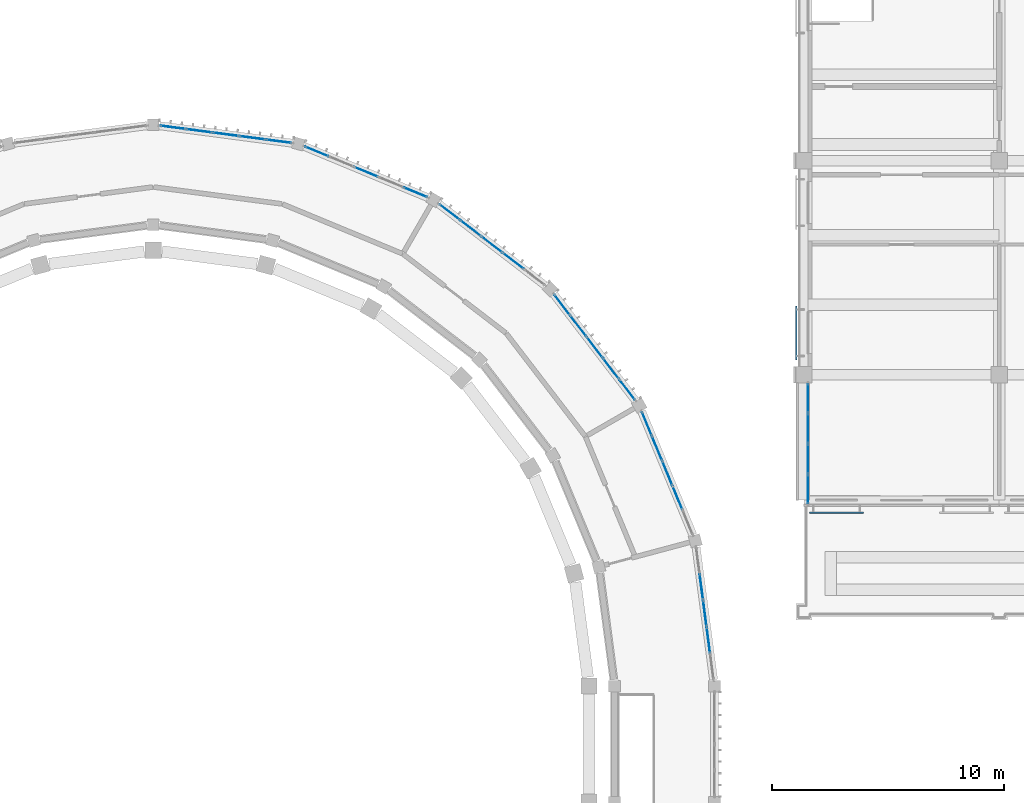
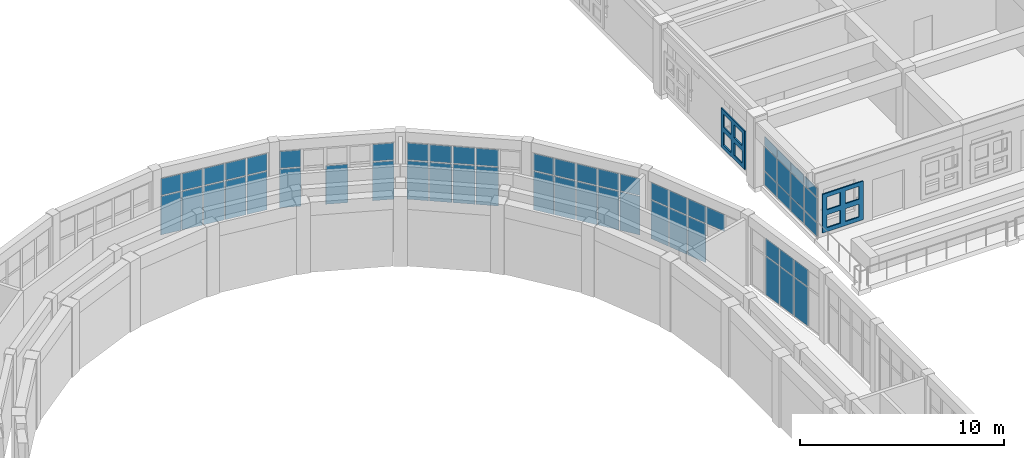
# One storey, part 47 of 99: 60 plates, 7 elements without a shape of their own.
"""IFC4 building model written with IfcOpenShell, lengths in metres."""

from ifc_helpers import new_model, si_unit, direction, frame, origin, origin_2d, place, context, subcontext, project, spatial, polyline, rectangle, outline, extrude, material, layer, layer_set, material_profile, profile_set, type_object, element, aggregate, save


model = new_model("IFC4")

# Units and contexts
model_context = context("Model", 3, precision=1e-05, world=origin(), true_north=direction((0.0, 1.0)))
body_context = subcontext(model_context, "Body", "Model", "MODEL_VIEW")
ifc_project = project(units=[si_unit("LENGTHUNIT", "METRE"), si_unit("AREAUNIT", "SQUARE_METRE"), si_unit("VOLUMEUNIT", "CUBIC_METRE"), si_unit("PLANEANGLEUNIT", "RADIAN"), si_unit("MASSUNIT", "GRAM", prefix="KILO")], contexts=[model_context])

# Site, building, storey
site_placement = place(None, origin())
site = spatial("IfcSite", under=ifc_project, at=site_placement, CompositionType="ELEMENT")
building_placement = place(site_placement, origin())
building = spatial("IfcBuilding", under=site, at=building_placement, Name="Wasatch Bagh Community Centre", CompositionType="ELEMENT")
storey_placement = place(building_placement, frame((0.0, 0.0, 4.199951171875)))
storey = spatial("IfcBuildingStorey", under=building, at=storey_placement, Name="L01", CompositionType="ELEMENT", Elevation=4.199951171875)

# Curtain wall, plates
ifc_material_1 = material(Name="Aluminium curtain wall frame with low-iron insulated glass", Category="aluminium")
ifc_layer_1 = layer(ifc_material_1, 0.14990234375)
ifc_layer_set_1 = layer_set([ifc_layer_1], Name="Aluminium curtain wall frame with low-iron insulated glass")
curtain_wall_type_1 = type_object("IfcCurtainWallType", Name="Drum curtain wall DR-CW2", PredefinedType="NOTDEFINED", material=ifc_layer_set_1)
curtain_wall_1_placement = place(storey_placement, origin())
curtain_wall_1 = element("IfcCurtainWall", 1, at=curtain_wall_1_placement, inside=storey, type_object=curtain_wall_type_1, Name="Curtain wall DR-CW2 19", PredefinedType="NOTDEFINED")
ifc_material_2 = material(Name="Low-iron insulated glass", Category="glass")
ifc_layer_2 = layer(ifc_material_2, 0.028076171875)
ifc_layer_set_2 = layer_set([ifc_layer_2], Name="Low-iron insulated glass")
plate_type_1 = type_object("IfcPlateType", Name="Drum glass panel DR-CW2", PredefinedType="CURTAIN_PANEL", material=ifc_layer_set_2)
plate_1_placement = place(storey_placement, frame((59.889404296875, 66.979248046875, 0.06005859375), z_axis=(0.0, 0.0, 1.0), x_axis=(-0.130526192185, 0.991444861378, 0.0)))
plate_1 = element("IfcPlate", 2, at=plate_1_placement, type_object=plate_type_1, Name="DR-CW2 panel 2.1", PredefinedType="CURTAIN_PANEL", context=body_context, shape_type="SweptSolid", body=[
    extrude(rectangle(XDim=1.095947265625, YDim=0.028076171875, at=origin_2d()), origin(), (0.0, 0.0, 1.0), 2.31005859375),
])
plate_2_placement = place(storey_placement, frame((59.889404296875, 66.979248046875, 2.43017578125), z_axis=(0.0, 0.0, 1.0), x_axis=(-0.130526192185, 0.991444861378, 0.0)))
plate_2 = element("IfcPlate", 3, at=plate_2_placement, type_object=plate_type_1, Name="DR-CW2 panel 2.2", PredefinedType="CURTAIN_PANEL", context=body_context, shape_type="SweptSolid", body=[
    extrude(rectangle(XDim=1.095947265625, YDim=0.028076171875, at=origin_2d()), origin(), (0.0, 0.0, 1.0), 1.010009765625),
])
plate_3_placement = place(storey_placement, frame((59.738525390625, 68.125244140625, 0.06005859375), z_axis=(0.0, 0.0, 1.0), x_axis=(-0.130526192185, 0.991444861378, 0.0)))
plate_3 = element("IfcPlate", 4, at=plate_3_placement, type_object=plate_type_1, Name="DR-CW2 panel 3.1", PredefinedType="CURTAIN_PANEL", context=body_context, shape_type="SweptSolid", body=[
    extrude(rectangle(XDim=1.095947265625, YDim=0.028076171875, at=origin_2d()), origin(), (0.0, 0.0, 1.0), 2.31005859375),
])
plate_4_placement = place(storey_placement, frame((59.738525390625, 68.125244140625, 2.43017578125), z_axis=(0.0, 0.0, 1.0), x_axis=(-0.130526192185, 0.991444861378, 0.0)))
plate_4 = element("IfcPlate", 5, at=plate_4_placement, type_object=plate_type_1, Name="DR-CW2 panel 3.2", PredefinedType="CURTAIN_PANEL", context=body_context, shape_type="SweptSolid", body=[
    extrude(rectangle(XDim=1.095947265625, YDim=0.028076171875, at=origin_2d()), origin(), (0.0, 0.0, 1.0), 1.010009765625),
])
plate_5_placement = place(storey_placement, frame((59.587646484375, 69.271240234375, 0.06005859375), z_axis=(0.0, 0.0, 1.0), x_axis=(-0.130526192185, 0.991444861378, 0.0)))
plate_5 = element("IfcPlate", 6, at=plate_5_placement, type_object=plate_type_1, Name="DR-CW2 panel 4.1", PredefinedType="CURTAIN_PANEL", context=body_context, shape_type="SweptSolid", body=[
    extrude(rectangle(XDim=1.095947265625, YDim=0.028076171875, at=origin_2d()), origin(), (0.0, 0.0, 1.0), 2.31005859375),
])
plate_6_placement = place(storey_placement, frame((59.587646484375, 69.271240234375, 2.43017578125), z_axis=(0.0, 0.0, 1.0), x_axis=(-0.130526192185, 0.991444861378, 0.0)))
plate_6 = element("IfcPlate", 7, at=plate_6_placement, type_object=plate_type_1, Name="DR-CW2 panel 4.2", PredefinedType="CURTAIN_PANEL", context=body_context, shape_type="SweptSolid", body=[
    extrude(rectangle(XDim=1.095947265625, YDim=0.028076171875, at=origin_2d()), origin(), (0.0, 0.0, 1.0), 1.010009765625),
])
aggregate(curtain_wall_1, [plate_1, plate_2, plate_3, plate_4, plate_5, plate_6])

curtain_wall_2_placement = place(storey_placement, origin())
curtain_wall_2 = element("IfcCurtainWall", 8, at=curtain_wall_2_placement, inside=storey, type_object=curtain_wall_type_1, Name="Curtain wall DR-CW2 20", PredefinedType="NOTDEFINED")
plate_7_placement = place(storey_placement, frame((58.563232421875, 73.094970703125, 2.43017578125), z_axis=(0.0, 0.0, 1.0), x_axis=(-0.38268343251, 0.923879532451, 0.0)))
plate_7 = element("IfcPlate", 9, at=plate_7_placement, type_object=plate_type_1, Name="DR-CW2 panel 2.2", PredefinedType="CURTAIN_PANEL", context=body_context, shape_type="SweptSolid", body=[
    extrude(rectangle(XDim=1.095947265625, YDim=0.028076171875, at=origin_2d()), origin(), (0.0, 0.0, 1.0), 1.010009765625),
])
plate_8_placement = place(storey_placement, frame((58.120849609375, 74.162841796875, 0.06005859375), z_axis=(0.0, 0.0, 1.0), x_axis=(-0.38268343251, 0.923879532451, 0.0)))
plate_8 = element("IfcPlate", 10, at=plate_8_placement, type_object=plate_type_1, Name="DR-CW2 panel 3.1", PredefinedType="CURTAIN_PANEL", context=body_context, shape_type="SweptSolid", body=[
    extrude(rectangle(XDim=1.095947265625, YDim=0.028076171875, at=origin_2d()), origin(), (0.0, 0.0, 1.0), 2.31005859375),
])
plate_9_placement = place(storey_placement, frame((58.120849609375, 74.162841796875, 2.43017578125), z_axis=(0.0, 0.0, 1.0), x_axis=(-0.38268343251, 0.923879532451, 0.0)))
plate_9 = element("IfcPlate", 11, at=plate_9_placement, type_object=plate_type_1, Name="DR-CW2 panel 3.2", PredefinedType="CURTAIN_PANEL", context=body_context, shape_type="SweptSolid", body=[
    extrude(rectangle(XDim=1.095947265625, YDim=0.028076171875, at=origin_2d()), origin(), (0.0, 0.0, 1.0), 1.010009765625),
])
plate_10_placement = place(storey_placement, frame((57.678466796875, 75.230712890625, 0.06005859375), z_axis=(0.0, 0.0, 1.0), x_axis=(-0.38268343251, 0.923879532451, 0.0)))
plate_10 = element("IfcPlate", 12, at=plate_10_placement, type_object=plate_type_1, Name="DR-CW2 panel 4.1", PredefinedType="CURTAIN_PANEL", context=body_context, shape_type="SweptSolid", body=[
    extrude(rectangle(XDim=1.095947265625, YDim=0.028076171875, at=origin_2d()), origin(), (0.0, 0.0, 1.0), 2.31005859375),
])
plate_11_placement = place(storey_placement, frame((57.678466796875, 75.230712890625, 2.43017578125), z_axis=(0.0, 0.0, 1.0), x_axis=(-0.38268343251, 0.923879532451, 0.0)))
plate_11 = element("IfcPlate", 13, at=plate_11_placement, type_object=plate_type_1, Name="DR-CW2 panel 4.2", PredefinedType="CURTAIN_PANEL", context=body_context, shape_type="SweptSolid", body=[
    extrude(rectangle(XDim=1.095947265625, YDim=0.028076171875, at=origin_2d()), origin(), (0.0, 0.0, 1.0), 1.010009765625),
])
plate_12_placement = place(storey_placement, frame((57.241943359375, 76.28466796875, 0.06005859375), z_axis=(0.0, 0.0, 1.0), x_axis=(-0.38268343251, 0.923879532451, 0.0)))
plate_12 = element("IfcPlate", 14, at=plate_12_placement, type_object=plate_type_1, Name="DR-CW2 panel 5.1", PredefinedType="CURTAIN_PANEL", context=body_context, shape_type="SweptSolid", body=[
    extrude(rectangle(XDim=1.06591796875, YDim=0.028076171875, at=origin_2d()), origin(), (0.0, 0.0, 1.0), 2.31005859375),
])
plate_13_placement = place(storey_placement, frame((57.241943359375, 76.28466796875, 2.43017578125), z_axis=(0.0, 0.0, 1.0), x_axis=(-0.38268343251, 0.923879532451, 0.0)))
plate_13 = element("IfcPlate", 15, at=plate_13_placement, type_object=plate_type_1, Name="DR-CW2 panel 5.2", PredefinedType="CURTAIN_PANEL", context=body_context, shape_type="SweptSolid", body=[
    extrude(rectangle(XDim=1.06591796875, YDim=0.028076171875, at=origin_2d()), origin(), (0.0, 0.0, 1.0), 1.010009765625),
])
aggregate(curtain_wall_2, [plate_7, plate_8, plate_9, plate_10, plate_11, plate_12, plate_13])

curtain_wall_3_placement = place(storey_placement, origin())
curtain_wall_3 = element("IfcCurtainWall", 16, at=curtain_wall_3_placement, inside=storey, type_object=curtain_wall_type_1, Name="Curtain wall DR-CW2 21", PredefinedType="NOTDEFINED")
plate_14_placement = place(storey_placement, frame((56.393798828125, 77.753662109375, 0.06005859375), z_axis=(0.0, 0.0, 1.0), x_axis=(-0.608761429133, 0.793353340196, 0.0)))
plate_14 = element("IfcPlate", 17, at=plate_14_placement, type_object=plate_type_1, Name="DR-CW2 panel 1.1", PredefinedType="CURTAIN_PANEL", context=body_context, shape_type="SweptSolid", body=[
    extrude(rectangle(XDim=1.06591796875, YDim=0.028076171875, at=origin_2d()), origin(), (0.0, 0.0, 1.0), 2.31005859375),
])
plate_15_placement = place(storey_placement, frame((56.393798828125, 77.753662109375, 2.43017578125), z_axis=(0.0, 0.0, 1.0), x_axis=(-0.608761429133, 0.793353340196, 0.0)))
plate_15 = element("IfcPlate", 18, at=plate_15_placement, type_object=plate_type_1, Name="DR-CW2 panel 1.2", PredefinedType="CURTAIN_PANEL", context=body_context, shape_type="SweptSolid", body=[
    extrude(rectangle(XDim=1.06591796875, YDim=0.028076171875, at=origin_2d()), origin(), (0.0, 0.0, 1.0), 1.010009765625),
])
plate_16_placement = place(storey_placement, frame((55.69921875, 78.65869140625, 0.06005859375), z_axis=(0.0, 0.0, 1.0), x_axis=(-0.608761429133, 0.793353340196, 0.0)))
plate_16 = element("IfcPlate", 19, at=plate_16_placement, type_object=plate_type_1, Name="DR-CW2 panel 2.1", PredefinedType="CURTAIN_PANEL", context=body_context, shape_type="SweptSolid", body=[
    extrude(rectangle(XDim=1.095947265625, YDim=0.028076171875, at=origin_2d()), origin(), (0.0, 0.0, 1.0), 2.31005859375),
])
plate_17_placement = place(storey_placement, frame((55.69921875, 78.65869140625, 2.43017578125), z_axis=(0.0, 0.0, 1.0), x_axis=(-0.608761429133, 0.793353340196, 0.0)))
plate_17 = element("IfcPlate", 20, at=plate_17_placement, type_object=plate_type_1, Name="DR-CW2 panel 2.2", PredefinedType="CURTAIN_PANEL", context=body_context, shape_type="SweptSolid", body=[
    extrude(rectangle(XDim=1.095947265625, YDim=0.028076171875, at=origin_2d()), origin(), (0.0, 0.0, 1.0), 1.010009765625),
])
plate_18_placement = place(storey_placement, frame((54.99560546875, 79.575927734375, 0.06005859375), z_axis=(0.0, 0.0, 1.0), x_axis=(-0.608761429133, 0.793353340196, 0.0)))
plate_18 = element("IfcPlate", 21, at=plate_18_placement, type_object=plate_type_1, Name="DR-CW2 panel 3.1", PredefinedType="CURTAIN_PANEL", context=body_context, shape_type="SweptSolid", body=[
    extrude(rectangle(XDim=1.095947265625, YDim=0.028076171875, at=origin_2d()), origin(), (0.0, 0.0, 1.0), 2.31005859375),
])
plate_19_placement = place(storey_placement, frame((54.99560546875, 79.575927734375, 2.43017578125), z_axis=(0.0, 0.0, 1.0), x_axis=(-0.608761429133, 0.793353340196, 0.0)))
plate_19 = element("IfcPlate", 22, at=plate_19_placement, type_object=plate_type_1, Name="DR-CW2 panel 3.2", PredefinedType="CURTAIN_PANEL", context=body_context, shape_type="SweptSolid", body=[
    extrude(rectangle(XDim=1.095947265625, YDim=0.028076171875, at=origin_2d()), origin(), (0.0, 0.0, 1.0), 1.010009765625),
])
plate_20_placement = place(storey_placement, frame((54.2919921875, 80.492919921875, 0.06005859375), z_axis=(0.0, 0.0, 1.0), x_axis=(-0.608761429133, 0.793353340196, 0.0)))
plate_20 = element("IfcPlate", 23, at=plate_20_placement, type_object=plate_type_1, Name="DR-CW2 panel 4.1", PredefinedType="CURTAIN_PANEL", context=body_context, shape_type="SweptSolid", body=[
    extrude(rectangle(XDim=1.095947265625, YDim=0.028076171875, at=origin_2d()), origin(), (0.0, 0.0, 1.0), 2.31005859375),
])
plate_21_placement = place(storey_placement, frame((54.2919921875, 80.492919921875, 2.43017578125), z_axis=(0.0, 0.0, 1.0), x_axis=(-0.608761429133, 0.793353340196, 0.0)))
plate_21 = element("IfcPlate", 24, at=plate_21_placement, type_object=plate_type_1, Name="DR-CW2 panel 4.2", PredefinedType="CURTAIN_PANEL", context=body_context, shape_type="SweptSolid", body=[
    extrude(rectangle(XDim=1.095947265625, YDim=0.028076171875, at=origin_2d()), origin(), (0.0, 0.0, 1.0), 1.010009765625),
])
plate_22_placement = place(storey_placement, frame((53.597412109375, 81.39794921875, 0.06005859375), z_axis=(0.0, 0.0, 1.0), x_axis=(-0.608761429133, 0.793353340196, 0.0)))
plate_22 = element("IfcPlate", 25, at=plate_22_placement, type_object=plate_type_1, Name="DR-CW2 panel 5.1", PredefinedType="CURTAIN_PANEL", context=body_context, shape_type="SweptSolid", body=[
    extrude(rectangle(XDim=1.06591796875, YDim=0.028076171875, at=origin_2d()), origin(), (0.0, 0.0, 1.0), 2.31005859375),
])
plate_23_placement = place(storey_placement, frame((53.597412109375, 81.39794921875, 2.43017578125), z_axis=(0.0, 0.0, 1.0), x_axis=(-0.608761429133, 0.793353340196, 0.0)))
plate_23 = element("IfcPlate", 26, at=plate_23_placement, type_object=plate_type_1, Name="DR-CW2 panel 5.2", PredefinedType="CURTAIN_PANEL", context=body_context, shape_type="SweptSolid", body=[
    extrude(rectangle(XDim=1.06591796875, YDim=0.028076171875, at=origin_2d()), origin(), (0.0, 0.0, 1.0), 1.010009765625),
])
aggregate(curtain_wall_3, [plate_14, plate_15, plate_16, plate_17, plate_18, plate_19, plate_20, plate_21, plate_22, plate_23])

curtain_wall_4_placement = place(storey_placement, origin())
curtain_wall_4 = element("IfcCurtainWall", 27, at=curtain_wall_4_placement, inside=storey, type_object=curtain_wall_type_1, Name="Curtain wall DR-CW2 22", PredefinedType="NOTDEFINED")
plate_24_placement = place(storey_placement, frame((51.492919921875, 83.2919921875, 0.06005859375), z_axis=(0.0, 0.0, 1.0), x_axis=(-0.793353340196, 0.608761429133, 0.0)))
plate_24 = element("IfcPlate", 28, at=plate_24_placement, type_object=plate_type_1, Name="DR-CW2 panel 2.1", PredefinedType="CURTAIN_PANEL", context=body_context, shape_type="SweptSolid", body=[
    extrude(rectangle(XDim=1.095947265625, YDim=0.028076171875, at=origin_2d()), origin(), (0.0, 0.0, 1.0), 2.31005859375),
])
plate_25_placement = place(storey_placement, frame((51.492919921875, 83.2919921875, 2.43017578125), z_axis=(0.0, 0.0, 1.0), x_axis=(-0.793353340196, 0.608761429133, 0.0)))
plate_25 = element("IfcPlate", 29, at=plate_25_placement, type_object=plate_type_1, Name="DR-CW2 panel 2.2", PredefinedType="CURTAIN_PANEL", context=body_context, shape_type="SweptSolid", body=[
    extrude(rectangle(XDim=1.095947265625, YDim=0.028076171875, at=origin_2d()), origin(), (0.0, 0.0, 1.0), 1.010009765625),
])
plate_26_placement = place(storey_placement, frame((50.575927734375, 83.99560546875, 0.06005859375), z_axis=(0.0, 0.0, 1.0), x_axis=(-0.793353340196, 0.608761429133, 0.0)))
plate_26 = element("IfcPlate", 30, at=plate_26_placement, type_object=plate_type_1, Name="DR-CW2 panel 3.1", PredefinedType="CURTAIN_PANEL", context=body_context, shape_type="SweptSolid", body=[
    extrude(rectangle(XDim=1.095947265625, YDim=0.028076171875, at=origin_2d()), origin(), (0.0, 0.0, 1.0), 2.31005859375),
])
plate_27_placement = place(storey_placement, frame((50.575927734375, 83.99560546875, 2.43017578125), z_axis=(0.0, 0.0, 1.0), x_axis=(-0.793353340196, 0.608761429133, 0.0)))
plate_27 = element("IfcPlate", 31, at=plate_27_placement, type_object=plate_type_1, Name="DR-CW2 panel 3.2", PredefinedType="CURTAIN_PANEL", context=body_context, shape_type="SweptSolid", body=[
    extrude(rectangle(XDim=1.095947265625, YDim=0.028076171875, at=origin_2d()), origin(), (0.0, 0.0, 1.0), 1.010009765625),
])
plate_28_placement = place(storey_placement, frame((49.65869140625, 84.69921875, 0.06005859375), z_axis=(0.0, 0.0, 1.0), x_axis=(-0.793353340196, 0.608761429133, 0.0)))
plate_28 = element("IfcPlate", 32, at=plate_28_placement, type_object=plate_type_1, Name="DR-CW2 panel 4.1", PredefinedType="CURTAIN_PANEL", context=body_context, shape_type="SweptSolid", body=[
    extrude(rectangle(XDim=1.095947265625, YDim=0.028076171875, at=origin_2d()), origin(), (0.0, 0.0, 1.0), 2.31005859375),
])
plate_29_placement = place(storey_placement, frame((49.65869140625, 84.69921875, 2.43017578125), z_axis=(0.0, 0.0, 1.0), x_axis=(-0.793353340196, 0.608761429133, 0.0)))
plate_29 = element("IfcPlate", 33, at=plate_29_placement, type_object=plate_type_1, Name="DR-CW2 panel 4.2", PredefinedType="CURTAIN_PANEL", context=body_context, shape_type="SweptSolid", body=[
    extrude(rectangle(XDim=1.095947265625, YDim=0.028076171875, at=origin_2d()), origin(), (0.0, 0.0, 1.0), 1.010009765625),
])
plate_30_placement = place(storey_placement, frame((48.753662109375, 85.393798828125, 0.06005859375), z_axis=(0.0, 0.0, 1.0), x_axis=(-0.793353340196, 0.608761429133, 0.0)))
plate_30 = element("IfcPlate", 34, at=plate_30_placement, type_object=plate_type_1, Name="DR-CW2 panel 5.1", PredefinedType="CURTAIN_PANEL", context=body_context, shape_type="SweptSolid", body=[
    extrude(rectangle(XDim=1.06591796875, YDim=0.028076171875, at=origin_2d()), origin(), (0.0, 0.0, 1.0), 2.31005859375),
])
plate_31_placement = place(storey_placement, frame((48.753662109375, 85.393798828125, 2.43017578125), z_axis=(0.0, 0.0, 1.0), x_axis=(-0.793353340196, 0.608761429133, 0.0)))
plate_31 = element("IfcPlate", 35, at=plate_31_placement, type_object=plate_type_1, Name="DR-CW2 panel 5.2", PredefinedType="CURTAIN_PANEL", context=body_context, shape_type="SweptSolid", body=[
    extrude(rectangle(XDim=1.06591796875, YDim=0.028076171875, at=origin_2d()), origin(), (0.0, 0.0, 1.0), 1.010009765625),
])
aggregate(curtain_wall_4, [plate_24, plate_25, plate_26, plate_27, plate_28, plate_29, plate_30, plate_31])

curtain_wall_5_placement = place(storey_placement, origin())
curtain_wall_5 = element("IfcCurtainWall", 36, at=curtain_wall_5_placement, inside=storey, type_object=curtain_wall_type_1, Name="Curtain wall DR-CW2 23", PredefinedType="NOTDEFINED")
plate_32_placement = place(storey_placement, frame((47.28466796875, 86.241943359375, 0.06005859375), z_axis=(0.0, 0.0, 1.0), x_axis=(-0.923879532451, 0.38268343251, 0.0)))
plate_32 = element("IfcPlate", 37, at=plate_32_placement, type_object=plate_type_1, Name="DR-CW2 panel 1.1", PredefinedType="CURTAIN_PANEL", context=body_context, shape_type="SweptSolid", body=[
    extrude(rectangle(XDim=1.06591796875, YDim=0.028076171875, at=origin_2d()), origin(), (0.0, 0.0, 1.0), 2.31005859375),
])
plate_33_placement = place(storey_placement, frame((47.28466796875, 86.241943359375, 2.43017578125), z_axis=(0.0, 0.0, 1.0), x_axis=(-0.923879532451, 0.38268343251, 0.0)))
plate_33 = element("IfcPlate", 38, at=plate_33_placement, type_object=plate_type_1, Name="DR-CW2 panel 1.2", PredefinedType="CURTAIN_PANEL", context=body_context, shape_type="SweptSolid", body=[
    extrude(rectangle(XDim=1.06591796875, YDim=0.028076171875, at=origin_2d()), origin(), (0.0, 0.0, 1.0), 1.010009765625),
])
plate_34_placement = place(storey_placement, frame((45.162841796875, 87.120849609375, 0.06005859375), z_axis=(0.0, 0.0, 1.0), x_axis=(-0.923879532451, 0.38268343251, 0.0)))
plate_34 = element("IfcPlate", 39, at=plate_34_placement, type_object=plate_type_1, Name="DR-CW2 panel 3.1", PredefinedType="CURTAIN_PANEL", context=body_context, shape_type="SweptSolid", body=[
    extrude(rectangle(XDim=1.095947265625, YDim=0.028076171875, at=origin_2d()), origin(), (0.0, 0.0, 1.0), 2.31005859375),
])
plate_35_placement = place(storey_placement, frame((43.040771484375, 87.999755859375, 0.06005859375), z_axis=(0.0, 0.0, 1.0), x_axis=(-0.923879532451, 0.38268343251, 0.0)))
plate_35 = element("IfcPlate", 40, at=plate_35_placement, type_object=plate_type_1, Name="DR-CW2 panel 5.1", PredefinedType="CURTAIN_PANEL", context=body_context, shape_type="SweptSolid", body=[
    extrude(rectangle(XDim=1.06591796875, YDim=0.028076171875, at=origin_2d()), origin(), (0.0, 0.0, 1.0), 2.31005859375),
])
plate_36_placement = place(storey_placement, frame((43.040771484375, 87.999755859375, 2.43017578125), z_axis=(0.0, 0.0, 1.0), x_axis=(-0.923879532451, 0.38268343251, 0.0)))
plate_36 = element("IfcPlate", 41, at=plate_36_placement, type_object=plate_type_1, Name="DR-CW2 panel 5.2", PredefinedType="CURTAIN_PANEL", context=body_context, shape_type="SweptSolid", body=[
    extrude(rectangle(XDim=1.06591796875, YDim=0.028076171875, at=origin_2d()), origin(), (0.0, 0.0, 1.0), 1.010009765625),
])
aggregate(curtain_wall_5, [plate_32, plate_33, plate_34, plate_35, plate_36])

curtain_wall_6_placement = place(storey_placement, origin())
curtain_wall_6 = element("IfcCurtainWall", 42, at=curtain_wall_6_placement, inside=storey, type_object=curtain_wall_type_1, Name="Curtain wall DR-CW2 24", PredefinedType="NOTDEFINED")
plate_37_placement = place(storey_placement, frame((41.40234375, 88.438720703125, 0.06005859375), z_axis=(0.0, 0.0, 1.0), x_axis=(-0.991444861378, 0.130526192185, 0.0)))
plate_37 = element("IfcPlate", 43, at=plate_37_placement, type_object=plate_type_1, Name="DR-CW2 panel 1.1", PredefinedType="CURTAIN_PANEL", context=body_context, shape_type="SweptSolid", body=[
    extrude(rectangle(XDim=1.06591796875, YDim=0.028076171875, at=origin_2d()), origin(), (0.0, 0.0, 1.0), 2.31005859375),
])
plate_38_placement = place(storey_placement, frame((41.40234375, 88.438720703125, 2.43017578125), z_axis=(0.0, 0.0, 1.0), x_axis=(-0.991444861378, 0.130526192185, 0.0)))
plate_38 = element("IfcPlate", 44, at=plate_38_placement, type_object=plate_type_1, Name="DR-CW2 panel 1.2", PredefinedType="CURTAIN_PANEL", context=body_context, shape_type="SweptSolid", body=[
    extrude(rectangle(XDim=1.06591796875, YDim=0.028076171875, at=origin_2d()), origin(), (0.0, 0.0, 1.0), 1.010009765625),
])
plate_39_placement = place(storey_placement, frame((40.271240234375, 88.587646484375, 0.06005859375), z_axis=(0.0, 0.0, 1.0), x_axis=(-0.991444861378, 0.130526192185, 0.0)))
plate_39 = element("IfcPlate", 45, at=plate_39_placement, type_object=plate_type_1, Name="DR-CW2 panel 2.1", PredefinedType="CURTAIN_PANEL", context=body_context, shape_type="SweptSolid", body=[
    extrude(rectangle(XDim=1.095947265625, YDim=0.028076171875, at=origin_2d()), origin(), (0.0, 0.0, 1.0), 2.31005859375),
])
plate_40_placement = place(storey_placement, frame((40.271240234375, 88.587646484375, 2.43017578125), z_axis=(0.0, 0.0, 1.0), x_axis=(-0.991444861378, 0.130526192185, 0.0)))
plate_40 = element("IfcPlate", 46, at=plate_40_placement, type_object=plate_type_1, Name="DR-CW2 panel 2.2", PredefinedType="CURTAIN_PANEL", context=body_context, shape_type="SweptSolid", body=[
    extrude(rectangle(XDim=1.095947265625, YDim=0.028076171875, at=origin_2d()), origin(), (0.0, 0.0, 1.0), 1.010009765625),
])
plate_41_placement = place(storey_placement, frame((39.125244140625, 88.738525390625, 0.06005859375), z_axis=(0.0, 0.0, 1.0), x_axis=(-0.991444861378, 0.130526192185, 0.0)))
plate_41 = element("IfcPlate", 47, at=plate_41_placement, type_object=plate_type_1, Name="DR-CW2 panel 3.1", PredefinedType="CURTAIN_PANEL", context=body_context, shape_type="SweptSolid", body=[
    extrude(rectangle(XDim=1.095947265625, YDim=0.028076171875, at=origin_2d()), origin(), (0.0, 0.0, 1.0), 2.31005859375),
])
plate_42_placement = place(storey_placement, frame((39.125244140625, 88.738525390625, 2.43017578125), z_axis=(0.0, 0.0, 1.0), x_axis=(-0.991444861378, 0.130526192185, 0.0)))
plate_42 = element("IfcPlate", 48, at=plate_42_placement, type_object=plate_type_1, Name="DR-CW2 panel 3.2", PredefinedType="CURTAIN_PANEL", context=body_context, shape_type="SweptSolid", body=[
    extrude(rectangle(XDim=1.095947265625, YDim=0.028076171875, at=origin_2d()), origin(), (0.0, 0.0, 1.0), 1.010009765625),
])
plate_43_placement = place(storey_placement, frame((37.979248046875, 88.889404296875, 0.06005859375), z_axis=(0.0, 0.0, 1.0), x_axis=(-0.991444861378, 0.130526192185, 0.0)))
plate_43 = element("IfcPlate", 49, at=plate_43_placement, type_object=plate_type_1, Name="DR-CW2 panel 4.1", PredefinedType="CURTAIN_PANEL", context=body_context, shape_type="SweptSolid", body=[
    extrude(rectangle(XDim=1.095947265625, YDim=0.028076171875, at=origin_2d()), origin(), (0.0, 0.0, 1.0), 2.31005859375),
])
plate_44_placement = place(storey_placement, frame((37.979248046875, 88.889404296875, 2.43017578125), z_axis=(0.0, 0.0, 1.0), x_axis=(-0.991444861378, 0.130526192185, 0.0)))
plate_44 = element("IfcPlate", 50, at=plate_44_placement, type_object=plate_type_1, Name="DR-CW2 panel 4.2", PredefinedType="CURTAIN_PANEL", context=body_context, shape_type="SweptSolid", body=[
    extrude(rectangle(XDim=1.095947265625, YDim=0.028076171875, at=origin_2d()), origin(), (0.0, 0.0, 1.0), 1.010009765625),
])
plate_45_placement = place(storey_placement, frame((36.84814453125, 89.038330078125, 0.06005859375), z_axis=(0.0, 0.0, 1.0), x_axis=(-0.991444861378, 0.130526192185, 0.0)))
plate_45 = element("IfcPlate", 51, at=plate_45_placement, type_object=plate_type_1, Name="DR-CW2 panel 5.1", PredefinedType="CURTAIN_PANEL", context=body_context, shape_type="SweptSolid", body=[
    extrude(rectangle(XDim=1.06591796875, YDim=0.028076171875, at=origin_2d()), origin(), (0.0, 0.0, 1.0), 2.31005859375),
])
plate_46_placement = place(storey_placement, frame((36.84814453125, 89.038330078125, 2.43017578125), z_axis=(0.0, 0.0, 1.0), x_axis=(-0.991444861378, 0.130526192185, 0.0)))
plate_46 = element("IfcPlate", 52, at=plate_46_placement, type_object=plate_type_1, Name="DR-CW2 panel 5.2", PredefinedType="CURTAIN_PANEL", context=body_context, shape_type="SweptSolid", body=[
    extrude(rectangle(XDim=1.06591796875, YDim=0.028076171875, at=origin_2d()), origin(), (0.0, 0.0, 1.0), 1.010009765625),
])
aggregate(curtain_wall_6, [plate_37, plate_38, plate_39, plate_40, plate_41, plate_42, plate_43, plate_44, plate_45, plate_46])

ifc_material_3 = material(Name="Aluminium curtain wall frame with low-iron glass", Category="aluminium")
ifc_layer_3 = layer(ifc_material_3, 0.159912109375)
ifc_layer_set_3 = layer_set([ifc_layer_3], Name="Aluminium curtain wall frame with low-iron glass")
curtain_wall_type_2 = type_object("IfcCurtainWallType", Name="LW gable curtain wall 160", PredefinedType="NOTDEFINED", material=ifc_layer_set_3)
curtain_wall_7_placement = place(storey_placement, origin())
curtain_wall_7 = element("IfcCurtainWall", 53, at=curtain_wall_7_placement, inside=storey, type_object=curtain_wall_type_2, Name="Curtain wall 01.08", PredefinedType="NOTDEFINED")
ifc_layer_4 = layer(ifc_material_2, 0.028076171875)
ifc_layer_set_4 = layer_set([ifc_layer_4], Name="Low-iron insulated glass")
plate_type_2 = type_object("IfcPlateType", Name="LW curtain wall panel 28 LW-CW4", PredefinedType="CURTAIN_PANEL", material=ifc_layer_set_4)
plate_47_placement = place(storey_placement, frame((64.175048828125, 73.47119140625, 0.06005859375), z_axis=(0.0, 0.0, 1.0), x_axis=(0.0, 1.0, 0.0)))
plate_47 = element("IfcPlate", 54, at=plate_47_placement, type_object=plate_type_2, Name="LW-CW4 panel 1.1", PredefinedType="CURTAIN_PANEL", context=body_context, shape_type="SweptSolid", body=[
    extrude(rectangle(XDim=1.222412109375, YDim=0.028076171875, at=origin_2d()), origin(), (0.0, 0.0, 1.0), 0.81005859375),
])
plate_48_placement = place(storey_placement, frame((64.175048828125, 73.47119140625, 0.93017578125), z_axis=(0.0, 0.0, 1.0), x_axis=(0.0, 1.0, 0.0)))
plate_48 = element("IfcPlate", 55, at=plate_48_placement, type_object=plate_type_2, Name="LW-CW4 panel 1.2", PredefinedType="CURTAIN_PANEL", context=body_context, shape_type="SweptSolid", body=[
    extrude(rectangle(XDim=1.222412109375, YDim=0.028076171875, at=origin_2d()), origin(), (0.0, 0.0, 1.0), 1.43994140625),
])
plate_49_placement = place(storey_placement, frame((64.175048828125, 73.47119140625, 2.43017578125), z_axis=(0.0, 0.0, 1.0), x_axis=(0.0, 1.0, 0.0)))
plate_49 = element("IfcPlate", 56, at=plate_49_placement, type_object=plate_type_2, Name="LW-CW4 panel 1.3", PredefinedType="CURTAIN_PANEL", context=body_context, shape_type="SweptSolid", body=[
    extrude(rectangle(XDim=1.222412109375, YDim=0.028076171875, at=origin_2d()), origin(), (0.0, 0.0, 1.0), 0.530029296875),
])
plate_50_placement = place(storey_placement, frame((64.175048828125, 74.768798828125, 0.06005859375), z_axis=(0.0, 0.0, 1.0), x_axis=(0.0, 1.0, 0.0)))
plate_50 = element("IfcPlate", 57, at=plate_50_placement, type_object=plate_type_2, Name="LW-CW4 panel 2.1", PredefinedType="CURTAIN_PANEL", context=body_context, shape_type="SweptSolid", body=[
    extrude(rectangle(XDim=1.25244140625, YDim=0.028076171875, at=origin_2d()), origin(), (0.0, 0.0, 1.0), 0.81005859375),
])
plate_51_placement = place(storey_placement, frame((64.175048828125, 74.768798828125, 0.93017578125), z_axis=(0.0, 0.0, 1.0), x_axis=(0.0, 1.0, 0.0)))
plate_51 = element("IfcPlate", 58, at=plate_51_placement, type_object=plate_type_2, Name="LW-CW4 panel 2.2", PredefinedType="CURTAIN_PANEL", context=body_context, shape_type="SweptSolid", body=[
    extrude(rectangle(XDim=1.25244140625, YDim=0.028076171875, at=origin_2d()), origin(), (0.0, 0.0, 1.0), 1.43994140625),
])
plate_52_placement = place(storey_placement, frame((64.175048828125, 74.768798828125, 2.43017578125), z_axis=(0.0, 0.0, 1.0), x_axis=(0.0, 1.0, 0.0)))
plate_52 = element("IfcPlate", 59, at=plate_52_placement, type_object=plate_type_2, Name="LW-CW4 panel 2.3", PredefinedType="CURTAIN_PANEL", context=body_context, shape_type="SweptSolid", body=[
    extrude(rectangle(XDim=1.25244140625, YDim=0.028076171875, at=origin_2d()), origin(), (0.0, 0.0, 1.0), 0.530029296875),
])
plate_53_placement = place(storey_placement, frame((64.175048828125, 76.081298828125, 0.06005859375), z_axis=(0.0, 0.0, 1.0), x_axis=(0.0, 1.0, 0.0)))
plate_53 = element("IfcPlate", 60, at=plate_53_placement, type_object=plate_type_2, Name="LW-CW4 panel 3.1", PredefinedType="CURTAIN_PANEL", context=body_context, shape_type="SweptSolid", body=[
    extrude(rectangle(XDim=1.25244140625, YDim=0.028076171875, at=origin_2d()), origin(), (0.0, 0.0, 1.0), 0.81005859375),
])
plate_54_placement = place(storey_placement, frame((64.175048828125, 76.081298828125, 0.93017578125), z_axis=(0.0, 0.0, 1.0), x_axis=(0.0, 1.0, 0.0)))
plate_54 = element("IfcPlate", 61, at=plate_54_placement, type_object=plate_type_2, Name="LW-CW4 panel 3.2", PredefinedType="CURTAIN_PANEL", context=body_context, shape_type="SweptSolid", body=[
    extrude(rectangle(XDim=1.25244140625, YDim=0.028076171875, at=origin_2d()), origin(), (0.0, 0.0, 1.0), 1.43994140625),
])
plate_55_placement = place(storey_placement, frame((64.175048828125, 76.081298828125, 2.43017578125), z_axis=(0.0, 0.0, 1.0), x_axis=(0.0, 1.0, 0.0)))
plate_55 = element("IfcPlate", 62, at=plate_55_placement, type_object=plate_type_2, Name="LW-CW4 panel 3.3", PredefinedType="CURTAIN_PANEL", context=body_context, shape_type="SweptSolid", body=[
    extrude(rectangle(XDim=1.25244140625, YDim=0.028076171875, at=origin_2d()), origin(), (0.0, 0.0, 1.0), 0.530029296875),
])
plate_56_placement = place(storey_placement, frame((64.175048828125, 77.378662109375, 0.06005859375), z_axis=(0.0, 0.0, 1.0), x_axis=(0.0, 1.0, 0.0)))
plate_56 = element("IfcPlate", 63, at=plate_56_placement, type_object=plate_type_2, Name="LW-CW4 panel 4.1", PredefinedType="CURTAIN_PANEL", context=body_context, shape_type="SweptSolid", body=[
    extrude(rectangle(XDim=1.222412109375, YDim=0.028076171875, at=origin_2d()), origin(), (0.0, 0.0, 1.0), 0.81005859375),
])
plate_57_placement = place(storey_placement, frame((64.175048828125, 77.378662109375, 0.93017578125), z_axis=(0.0, 0.0, 1.0), x_axis=(0.0, 1.0, 0.0)))
plate_57 = element("IfcPlate", 64, at=plate_57_placement, type_object=plate_type_2, Name="LW-CW4 panel 4.2", PredefinedType="CURTAIN_PANEL", context=body_context, shape_type="SweptSolid", body=[
    extrude(rectangle(XDim=1.222412109375, YDim=0.028076171875, at=origin_2d()), origin(), (0.0, 0.0, 1.0), 1.43994140625),
])
plate_58_placement = place(storey_placement, frame((64.175048828125, 77.378662109375, 2.43017578125), z_axis=(0.0, 0.0, 1.0), x_axis=(0.0, 1.0, 0.0)))
plate_58 = element("IfcPlate", 65, at=plate_58_placement, type_object=plate_type_2, Name="LW-CW4 panel 4.3", PredefinedType="CURTAIN_PANEL", context=body_context, shape_type="SweptSolid", body=[
    extrude(rectangle(XDim=1.222412109375, YDim=0.028076171875, at=origin_2d()), origin(), (0.0, 0.0, 1.0), 0.530029296875),
])
aggregate(curtain_wall_7, [plate_47, plate_48, plate_49, plate_50, plate_51, plate_52, plate_53, plate_54, plate_55, plate_56, plate_57, plate_58])

# Plates
ifc_material_4 = material(Name="Precast concrete C40/50", Category="concrete")
ifc_material_profile = material_profile(ifc_material_4, outline(polyline([(-1.159912109375, -1.159912109375), (1.159912109375, -1.159912109375), (1.159912109375, 1.159912109375), (-1.159912109375, 1.159912109375), (-1.159912109375, -1.159912109375)]), holes=[polyline([(-0.919921875, -0.919921875), (-0.14990234375, -0.919921875), (-0.14990234375, -0.14990234375), (-0.919921875, -0.14990234375), (-0.919921875, -0.919921875)]), polyline([(-0.919921875, 0.14990234375), (-0.14990234375, 0.14990234375), (-0.14990234375, 0.919921875), (-0.919921875, 0.919921875), (-0.919921875, 0.14990234375)]), polyline([(0.14990234375, -0.919921875), (0.919921875, -0.919921875), (0.919921875, -0.14990234375), (0.14990234375, -0.14990234375), (0.14990234375, -0.919921875)]), polyline([(0.14990234375, 0.14990234375), (0.919921875, 0.14990234375), (0.919921875, 0.919921875), (0.14990234375, 0.919921875), (0.14990234375, 0.14990234375)])]), Name="Jali lattice")
ifc_profile_set = profile_set([ifc_material_profile], Name="Precast concrete C40/50")
plate_type_3 = type_object("IfcPlateType", Name="LW jali panel 2320x2320", PredefinedType="SHEET", material=ifc_profile_set)
for number, where, z_axis, x_axis, name in (
    (66, (65.39990234375, 72.5, 1.66015625), (0.0, -1.0, 0.0), (1.0, 0.0, 0.0), "Jali panel"),
    (67, (63.699951171875, 80.199951171875, 1.66015625), (-1.0, 0.0, 0.0), (0.0, -1.0, 0.0), "Jali panel"),
):
    element("IfcPlate", number, at=place(storey_placement, frame(where, z_axis=z_axis, x_axis=x_axis)), inside=storey, type_object=plate_type_3, Name=name, PredefinedType="SHEET", context=body_context, shape_type="SweptSolid", body=[
        extrude(outline(polyline([(-1.159912109375, -1.159912109375), (1.159912109375, -1.159912109375), (1.159912109375, 1.159912109375), (-1.159912109375, 1.159912109375), (-1.159912109375, -1.159912109375)]), holes=[polyline([(-0.919921875, -0.919921875), (-0.14990234375, -0.919921875), (-0.14990234375, -0.14990234375), (-0.919921875, -0.14990234375), (-0.919921875, -0.919921875)]), polyline([(-0.919921875, 0.14990234375), (-0.14990234375, 0.14990234375), (-0.14990234375, 0.919921875), (-0.919921875, 0.919921875), (-0.919921875, 0.14990234375)]), polyline([(0.14990234375, -0.919921875), (0.919921875, -0.919921875), (0.919921875, -0.14990234375), (0.14990234375, -0.14990234375), (0.14990234375, -0.919921875)]), polyline([(0.14990234375, 0.14990234375), (0.919921875, 0.14990234375), (0.919921875, 0.919921875), (0.14990234375, 0.919921875), (0.14990234375, 0.14990234375)])]), origin(), (0.0, 0.0, 1.0), 0.070068359375),
    ])

save(model, "model.ifc")
